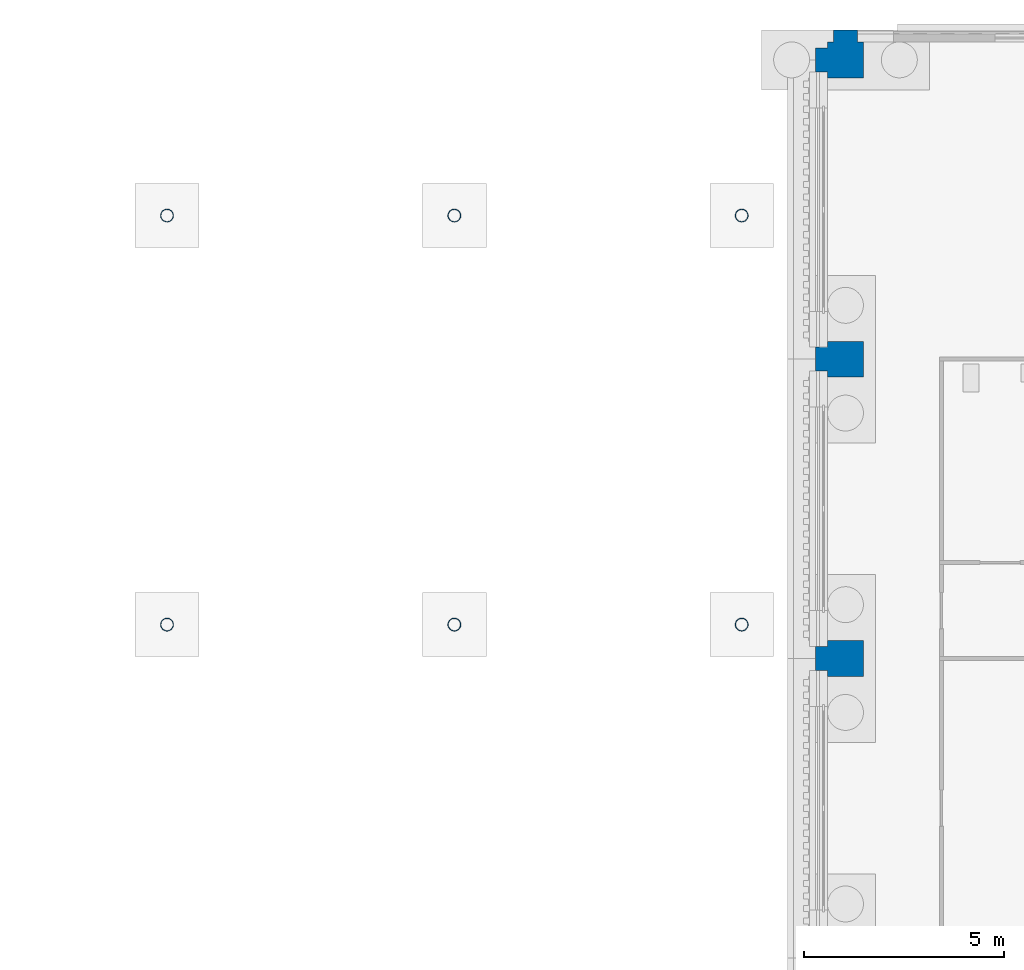
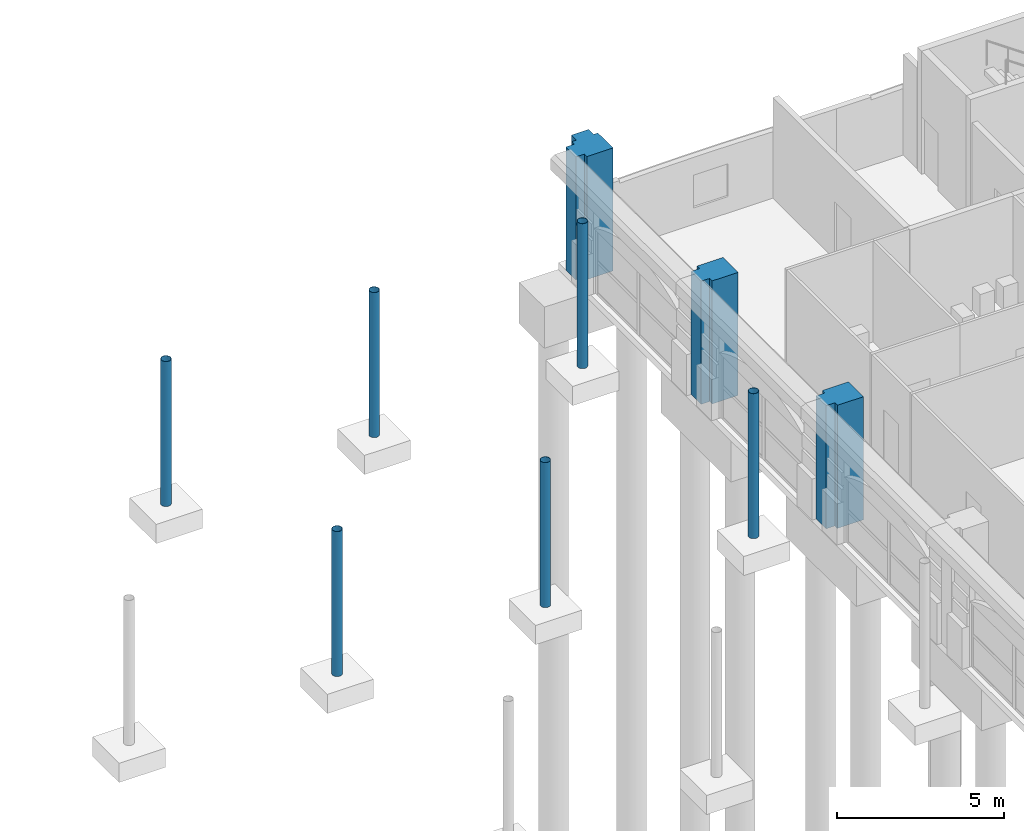
# One storey, part 17 of 99: 9 columns.
"""IFC4 building model written with IfcOpenShell, lengths in metres."""

from ifc_helpers import new_model, si_unit, direction, frame, origin, origin_2d, place, context, subcontext, project, spatial, polyline, hollow_circle, outline, extrude, material, material_profile, profile_set, type_object, element, save


model = new_model("IFC4")

# Units and contexts
model_context = context("Model", 3, precision=1e-05, world=origin(), true_north=direction((0.0, 1.0)))
body_context = subcontext(model_context, "Body", "Model", "MODEL_VIEW")
ifc_project = project(units=[si_unit("LENGTHUNIT", "METRE"), si_unit("AREAUNIT", "SQUARE_METRE"), si_unit("VOLUMEUNIT", "CUBIC_METRE"), si_unit("PLANEANGLEUNIT", "RADIAN"), si_unit("MASSUNIT", "GRAM", prefix="KILO")], contexts=[model_context])

# Site, building, storey
site_placement = place(None, origin())
site = spatial("IfcSite", under=ifc_project, at=site_placement, CompositionType="ELEMENT")
building_placement = place(site_placement, origin())
building = spatial("IfcBuilding", under=site, at=building_placement, Name="Cour d'Honneur Mobility Palace", CompositionType="ELEMENT")
storey_placement = place(building_placement, origin())
storey = spatial("IfcBuildingStorey", under=building, at=storey_placement, Name="L00", CompositionType="ELEMENT", Elevation=0.0)

# Columns
ifc_material_1 = material(Name="Steel S355", Category="steel")
ifc_material_profile_1 = material_profile(ifc_material_1, hollow_circle(Radius=0.161865234375, WallThickness=0.010009765625, at=origin_2d()), Name="CHS 323.9x10")
ifc_profile_set_1 = profile_set([ifc_material_profile_1], Name="Steel S355")
column_type_1 = type_object("IfcColumnType", Name="Canopy column CHS 323.9x10", PredefinedType="COLUMN", material=ifc_profile_set_1)
for number, where, z_axis, x_axis, name in (
    (1, (127.89990234375, 100.75, -0.300048828125), (0.0, 0.0, 1.0), (1.0, 0.0, 0.0), "Canopy column FCC-E2.4"),
    (2, (135.10009765625, 100.75, -0.300048828125), (0.0, 0.0, 1.0), (1.0, 0.0, 0.0), "Canopy column FCC-E2.5"),
    (3, (142.300048828125, 100.75, -0.300048828125), (0.0, 0.0, 1.0), (1.0, 0.0, 0.0), "Canopy column FCC-E2.6"),
    (4, (127.89990234375, 111.0, -0.300048828125), (0.0, 0.0, 1.0), (1.0, 0.0, 0.0), "Canopy column FCC-E3.4"),
    (5, (135.10009765625, 111.0, -0.300048828125), (0.0, 0.0, 1.0), (1.0, 0.0, 0.0), "Canopy column FCC-E3.5"),
    (6, (142.300048828125, 111.0, -0.300048828125), (0.0, 0.0, 1.0), (1.0, 0.0, 0.0), "Canopy column FCC-E3.6"),
):
    element("IfcColumn", number, at=place(storey_placement, frame(where, z_axis=z_axis, x_axis=x_axis)), inside=storey, type_object=column_type_1, Name=name, PredefinedType="COLUMN", context=body_context, shape_type="SweptSolid", body=[
        extrude(hollow_circle(Radius=0.161865234375, WallThickness=0.010009765625, at=origin_2d()), origin(), (0.0, 0.0, 1.0), 5.300048828125),
    ])
ifc_material_2 = material(Name="Concrete C50", Category="concrete")
ifc_material_profile_2 = material_profile(ifc_material_2, outline(polyline([(-0.449951171875, -0.449951171875), (0.449951171875, -0.449951171875), (0.449951171875, -0.300048828125), (0.75, -0.300048828125), (0.75, 0.300048828125), (0.449951171875, 0.300048828125), (0.449951171875, 0.449951171875), (0.300048828125, 0.449951171875), (0.300048828125, 0.75), (-0.300048828125, 0.75), (-0.300048828125, 0.449951171875), (-0.449951171875, 0.449951171875), (-0.449951171875, -0.449951171875)])), Name="PC C900 corner")
ifc_profile_set_2 = profile_set([ifc_material_profile_2], Name="Concrete C50")
column_type_2 = type_object("IfcColumnType", Name="Precast Column 900 corner", PredefinedType="COLUMN", material=ifc_profile_set_2)
column_placement = place(storey_placement, frame((144.89990234375, 114.89990234375, 0.0), z_axis=(0.0, 0.0, 1.0), x_axis=(0.0, 1.0, 0.0)))
element("IfcColumn", 7, at=column_placement, inside=storey, type_object=column_type_2, Name="Precast column C1 19/Q L00", PredefinedType="COLUMN", context=body_context, shape_type="SweptSolid", body=[
    extrude(outline(polyline([(-0.449951171875, -0.449951171875), (0.449951171875, -0.449951171875), (0.449951171875, -0.300048828125), (0.75, -0.300048828125), (0.75, 0.300048828125), (0.449951171875, 0.300048828125), (0.449951171875, 0.449951171875), (0.300048828125, 0.449951171875), (0.300048828125, 0.75), (-0.300048828125, 0.75), (-0.300048828125, 0.449951171875), (-0.449951171875, 0.449951171875), (-0.449951171875, -0.449951171875)])), origin(), (0.0, 0.0, 1.0), 4.5),
])
ifc_material_3 = material(Name="Concrete C50", Category="concrete")
ifc_material_profile_3 = material_profile(ifc_material_3, outline(polyline([(-0.449951171875, -0.449951171875), (0.449951171875, -0.449951171875), (0.449951171875, -0.300048828125), (0.75, -0.300048828125), (0.75, 0.300048828125), (0.449951171875, 0.300048828125), (0.449951171875, 0.449951171875), (-0.449951171875, 0.449951171875), (-0.449951171875, -0.449951171875)])), Name="PC C900 pilaster")
ifc_profile_set_3 = profile_set([ifc_material_profile_3], Name="Concrete C50")
column_type_3 = type_object("IfcColumnType", Name="Precast Column 900 pilaster", PredefinedType="COLUMN", material=ifc_profile_set_3)
for number, where, z_axis, x_axis, name in (
    (8, (144.89990234375, 99.89990234375, 0.0), (0.0, 0.0, 1.0), (-1.0, 0.0, 0.0), "Precast column C3 19/N L00"),
    (9, (144.89990234375, 107.39990234375, 0.0), (0.0, 0.0, 1.0), (-1.0, 0.0, 0.0), "Precast column C3 19/P L00"),
):
    element("IfcColumn", number, at=place(storey_placement, frame(where, z_axis=z_axis, x_axis=x_axis)), inside=storey, type_object=column_type_3, Name=name, PredefinedType="COLUMN", context=body_context, shape_type="SweptSolid", body=[
        extrude(outline(polyline([(-0.449951171875, -0.449951171875), (0.449951171875, -0.449951171875), (0.449951171875, -0.300048828125), (0.75, -0.300048828125), (0.75, 0.300048828125), (0.449951171875, 0.300048828125), (0.449951171875, 0.449951171875), (-0.449951171875, 0.449951171875), (-0.449951171875, -0.449951171875)])), origin(), (0.0, 0.0, 1.0), 4.5),
    ])

save(model, "model.ifc")
